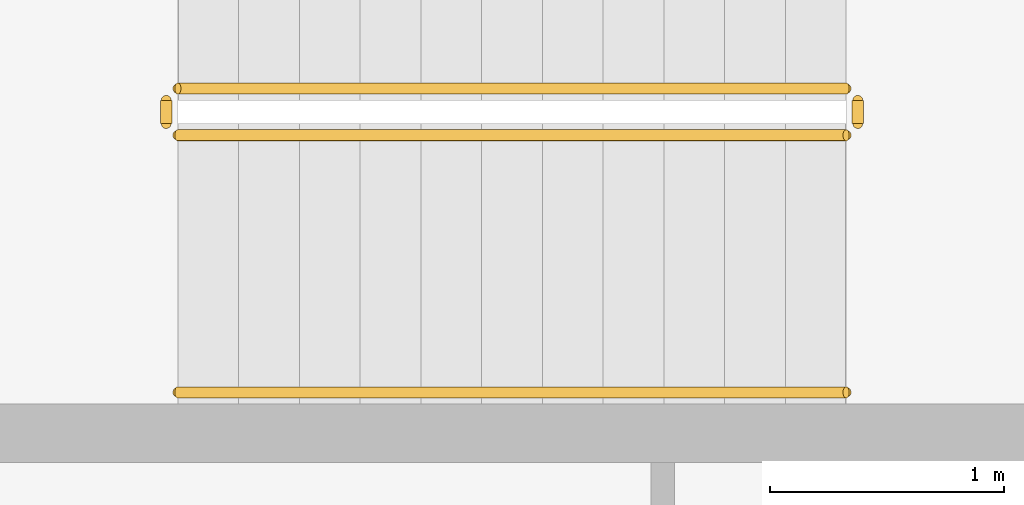
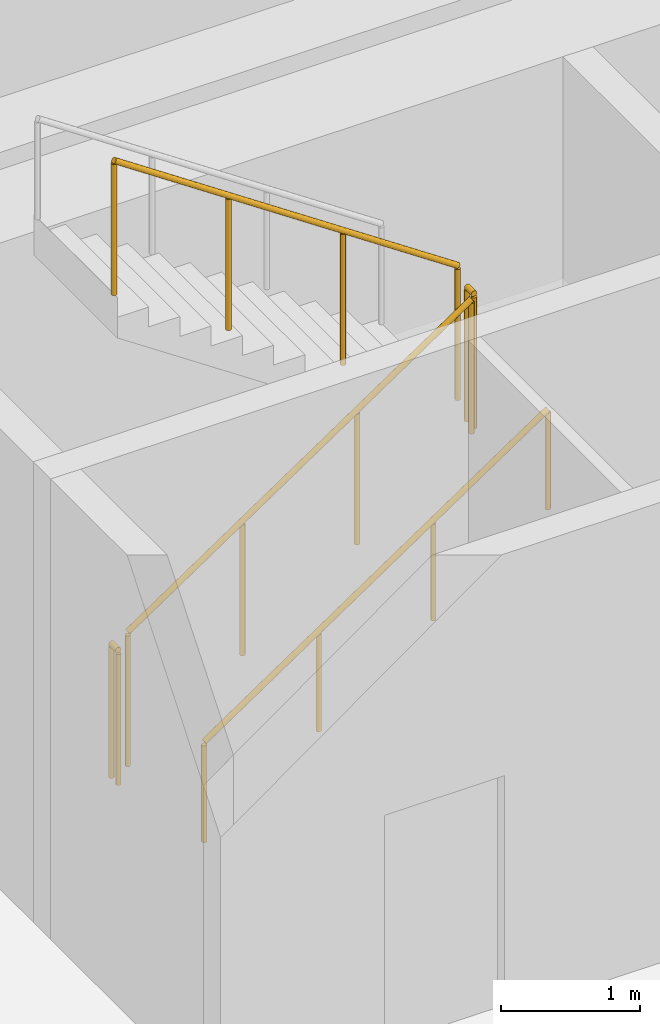
# One storey, part 20 of 25: 5 railings.
"""IFC4 building model written with IfcOpenShell, lengths in metres."""

from ifc_helpers import new_model, si_unit, direction, frame, origin, origin_2d, place, context, subcontext, project, spatial, circle, extrude, material, type_object, element, save


model = new_model("IFC4")

# Units and contexts
model_context = context("Model", 3, precision=1e-05, world=origin(), true_north=direction((0.0, 1.0)))
body_context = subcontext(model_context, "Body", "Model", "MODEL_VIEW")
ifc_project = project(units=[si_unit("LENGTHUNIT", "METRE"), si_unit("AREAUNIT", "SQUARE_METRE"), si_unit("VOLUMEUNIT", "CUBIC_METRE"), si_unit("PLANEANGLEUNIT", "RADIAN"), si_unit("MASSUNIT", "GRAM", prefix="KILO")], contexts=[model_context])

# Site, building, storey
site_placement = place(None, origin())
site = spatial("IfcSite", under=ifc_project, at=site_placement, CompositionType="ELEMENT")
building_placement = place(site_placement, origin())
building = spatial("IfcBuilding", under=site, at=building_placement, Name="Sahrelin Media Tower", CompositionType="ELEMENT")
storey_placement = place(building_placement, frame((0.0, 0.0, 127.199951171875)))
storey = spatial("IfcBuildingStorey", under=building, at=storey_placement, Name="L25", CompositionType="ELEMENT", Elevation=127.199951171875)

# Railings
ifc_material = material(Name="Steel S355", Category="steel")
railing_type_1 = type_object("IfcRailingType", Name="Stair guard 1200", PredefinedType="GUARDRAIL", material=ifc_material)
railing_1_placement = place(storey_placement, frame((-7.675048828125, 5.25, 0.175048828125)))
element("IfcRailing", 1, at=railing_1_placement, inside=storey, type_object=railing_type_1, Name="L25 ST1 stair guard 1", PredefinedType="GUARDRAIL", context=body_context, shape_type="SweptSolid", body=[
    extrude(circle(Radius=0.02392578125, at=origin_2d()), frame((0.0, 0.0, 1.17578125), z_axis=(0.829590901723, 0.0, 0.558371682465), x_axis=(0.0, 1.0, 0.0)), (0.0, 0.0, 1.0), 3.447509765625),
    extrude(circle(Radius=0.02099609375, at=origin_2d()), origin(), (0.0, 0.0, 1.0), 1.15185546875),
    extrude(circle(Radius=0.02099609375, at=origin_2d()), frame((0.953369140625, 0.0, 0.6416015625)), (0.0, 0.0, 1.0), 1.15185546875),
    extrude(circle(Radius=0.02099609375, at=origin_2d()), frame((1.90673828125, 0.0, 1.283447265625)), (0.0, 0.0, 1.0), 1.15185546875),
    extrude(circle(Radius=0.02099609375, at=origin_2d()), frame((2.860107421875, 0.0, 1.925048828125)), (0.0, 0.0, 1.0), 1.15185546875),
])
railing_2_placement = place(storey_placement, frame((-4.764892578125, 5.300048828125, 2.10009765625)))
element("IfcRailing", 2, at=railing_2_placement, inside=storey, type_object=railing_type_1, Name="L25 ST1 stair guard 2", PredefinedType="GUARDRAIL", context=body_context, shape_type="SweptSolid", body=[
    extrude(circle(Radius=0.02392578125, at=origin_2d()), frame((0.0, 0.0, 1.17578125), z_axis=(0.0, 1.0, 0.0), x_axis=(-1.0, 0.0, 0.0)), (0.0, 0.0, 1.0), 0.099853515625),
    extrude(circle(Radius=0.02099609375, at=origin_2d()), origin(), (0.0, 0.0, 1.0), 1.15185546875),
    extrude(circle(Radius=0.02099609375, at=origin_2d()), frame((0.0, 0.099853515625, 0.0)), (0.0, 0.0, 1.0), 1.15185546875),
])
railing_3_placement = place(storey_placement, frame((-4.81494140625, 5.449951171875, 2.275146484375)))
element("IfcRailing", 3, at=railing_3_placement, inside=storey, type_object=railing_type_1, Name="L25 ST1 stair guard 3", PredefinedType="GUARDRAIL", context=body_context, shape_type="SweptSolid", body=[
    extrude(circle(Radius=0.02392578125, at=origin_2d()), frame((0.0, 0.0, 1.17578125), z_axis=(-0.829623704247, 0.0, 0.558322943601), x_axis=(0.0, -1.0, 0.0)), (0.0, 0.0, 1.0), 3.447509765625),
    extrude(circle(Radius=0.02099609375, at=origin_2d()), origin(), (0.0, 0.0, 1.0), 1.15185546875),
    extrude(circle(Radius=0.02099609375, at=origin_2d()), frame((-0.953369140625, 0.0, 0.6416015625)), (0.0, 0.0, 1.0), 1.15185546875),
    extrude(circle(Radius=0.02099609375, at=origin_2d()), frame((-1.90673828125, 0.0, 1.283203125)), (0.0, 0.0, 1.0), 1.15185546875),
    extrude(circle(Radius=0.02099609375, at=origin_2d()), frame((-2.860107421875, 0.0, 1.9248046875)), (0.0, 0.0, 1.0), 1.15185546875),
])
railing_4_placement = place(storey_placement, frame((-7.72509765625, 5.300048828125, 0.0)))
element("IfcRailing", 4, at=railing_4_placement, inside=storey, type_object=railing_type_1, Name="L25 ST1 stair guard 4", PredefinedType="GUARDRAIL", context=body_context, shape_type="SweptSolid", body=[
    extrude(circle(Radius=0.02392578125, at=origin_2d()), frame((0.0, 0.0, 1.17578125), z_axis=(0.0, 1.0, 0.0), x_axis=(-1.0, 0.0, 0.0)), (0.0, 0.0, 1.0), 0.099853515625),
    extrude(circle(Radius=0.02099609375, at=origin_2d()), origin(), (0.0, 0.0, 1.0), 1.15185546875),
    extrude(circle(Radius=0.02099609375, at=origin_2d()), frame((0.0, 0.099853515625, 0.0)), (0.0, 0.0, 1.0), 1.15185546875),
])
railing_type_2 = type_object("IfcRailingType", Name="Stair handrail 900", PredefinedType="HANDRAIL", material=ifc_material)
railing_5_placement = place(storey_placement, frame((-7.675048828125, 4.14990234375, 0.175048828125)))
element("IfcRailing", 5, at=railing_5_placement, inside=storey, type_object=railing_type_2, Name="L25 ST1 stair handrail 1", PredefinedType="HANDRAIL", context=body_context, shape_type="SweptSolid", body=[
    extrude(circle(Radius=0.02392578125, at=origin_2d()), frame((0.0, 0.0, 0.8759765625), z_axis=(0.829590901723, 0.0, 0.558371682465), x_axis=(0.0, 1.0, 0.0)), (0.0, 0.0, 1.0), 3.447509765625),
    extrude(circle(Radius=0.02099609375, at=origin_2d()), origin(), (0.0, 0.0, 1.0), 0.851806640625),
    extrude(circle(Radius=0.02099609375, at=origin_2d()), frame((0.953369140625, 0.0, 0.6416015625)), (0.0, 0.0, 1.0), 0.851806640625),
    extrude(circle(Radius=0.02099609375, at=origin_2d()), frame((1.90673828125, 0.0, 1.283447265625)), (0.0, 0.0, 1.0), 0.851806640625),
    extrude(circle(Radius=0.02099609375, at=origin_2d()), frame((2.860107421875, 0.0, 1.925048828125)), (0.0, 0.0, 1.0), 0.851806640625),
])

save(model, "model.ifc")
